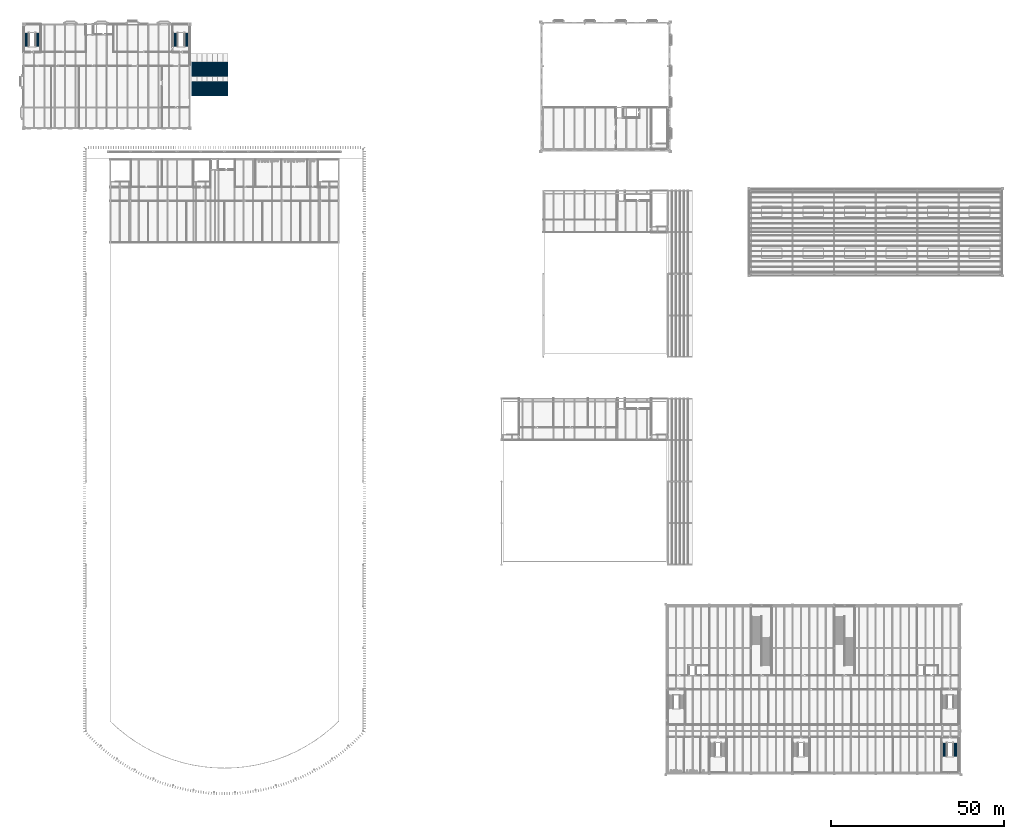
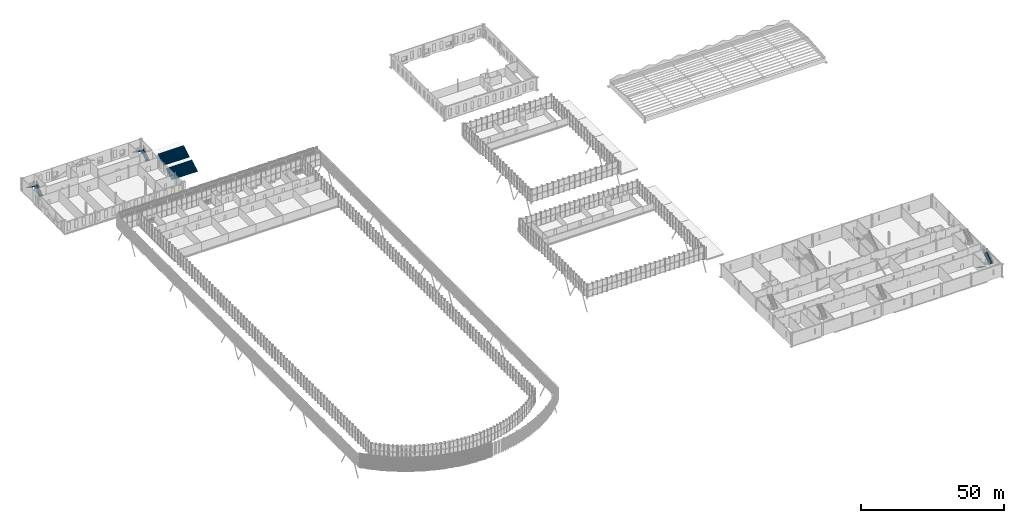
# One storey, part 124 of 170: 20 stair flights, 10 elements without a shape of their own.
"""IFC4 building model written with IfcOpenShell, lengths in metres."""

from ifc_helpers import new_model, si_unit, direction, frame, origin, place, context, subcontext, project, spatial, polyline, outline, extrude, material, type_object, element, aggregate, save


model = new_model("IFC4")

# Units and contexts
model_context = context("Model", 3, precision=1e-05, world=origin(), true_north=direction((0.0, 1.0)))
body_context = subcontext(model_context, "Body", "Model", "MODEL_VIEW")
ifc_project = project(units=[si_unit("LENGTHUNIT", "METRE"), si_unit("AREAUNIT", "SQUARE_METRE"), si_unit("VOLUMEUNIT", "CUBIC_METRE"), si_unit("PLANEANGLEUNIT", "RADIAN"), si_unit("MASSUNIT", "GRAM", prefix="KILO")], contexts=[model_context])

# Site, building, storey
site_placement = place(None, origin())
site = spatial("IfcSite", under=ifc_project, at=site_placement, CompositionType="ELEMENT")
building_placement = place(site_placement, origin())
building = spatial("IfcBuilding", under=site, at=building_placement, Name="Ravi Spectrum Wholesale Market", CompositionType="ELEMENT")
storey_placement = place(building_placement, frame((0.0, 0.0, 5.39990234375)))
storey = spatial("IfcBuildingStorey", under=building, at=storey_placement, Name="L01", CompositionType="ELEMENT", Elevation=5.39990234375)

# Stair, stair flights
ifc_material_1 = material(Name="Concrete C35/45", Category="concrete")
stair_type = type_object("IfcStairType", Name="Stair", PredefinedType="NOTDEFINED", material=ifc_material_1)
stair_1_placement = place(storey_placement, origin())
stair_1 = element("IfcStair", 1, at=stair_1_placement, inside=storey, type_object=stair_type, Name="GW-ST-L01-001", PredefinedType="NOTDEFINED")
ifc_material_2 = material(Name="Concrete C35/45", Category="concrete")
stair_flight_type = type_object("IfcStairFlightType", Name="Stair flight", PredefinedType="STRAIGHT", material=ifc_material_2)
stair_flight_1_placement = place(storey_placement, frame((61.25244140625, 213.300048828125, 0.0), z_axis=(0.0, 0.0, 1.0), x_axis=(0.0, 1.0, 0.0)))
stair_flight_1 = element("IfcStairFlight", 2, at=stair_flight_1_placement, type_object=stair_flight_type, Name="ST-GW1 flight 1", NumberOfRisers=16, NumberOfTreads=15, PredefinedType="STRAIGHT", RiserHeight=0.16875, TreadLength=0.28, context=body_context, shape_type="SweptSolid", body=[
    extrude(outline(polyline([(0.0, 0.0), (0.0, 0.168701171875), (0.280029296875, 0.168701171875), (0.280029296875, 0.33740234375), (0.56005859375, 0.33740234375), (0.56005859375, 0.50634765625), (0.840087890625, 0.50634765625), (0.840087890625, 0.675048828125), (1.1201171875, 0.675048828125), (1.1201171875, 0.84375), (1.39990234375, 0.84375), (1.39990234375, 1.012451171875), (1.679931640625, 1.012451171875), (1.679931640625, 1.18115234375), (1.9599609375, 1.18115234375), (1.9599609375, 1.35009765625), (2.239990234375, 1.35009765625), (2.239990234375, 1.518798828125), (2.52001953125, 1.518798828125), (2.52001953125, 1.6875), (2.800048828125, 1.6875), (2.800048828125, 1.856201171875), (3.080078125, 1.856201171875), (3.080078125, 2.02490234375), (3.360107421875, 2.02490234375), (3.360107421875, 2.19384765625), (3.639892578125, 2.19384765625), (3.639892578125, 2.362548828125), (3.919921875, 2.362548828125), (3.919921875, 2.53125), (4.199951171875, 2.53125), (4.199951171875, 2.699951171875), (4.199951171875, 2.356201171875), (0.29052734375, 0.0), (0.0, 0.0)])), frame((0.0, 0.75244140625, 0.0), z_axis=(0.0, -1.0, 0.0), x_axis=(1.0, 0.0, 0.0)), (0.0, 0.0, 1.0), 1.5048828125),
])
stair_flight_2_placement = place(storey_placement, frame((61.25244140625, 219.0, 2.7001953125), z_axis=(0.0, 0.0, 1.0), x_axis=(0.0, 1.0, 0.0)))
stair_flight_2 = element("IfcStairFlight", 3, at=stair_flight_2_placement, type_object=stair_flight_type, Name="ST-GW1 flight 2", NumberOfRisers=16, NumberOfTreads=15, PredefinedType="STRAIGHT", RiserHeight=0.16875, TreadLength=0.28, context=body_context, shape_type="SweptSolid", body=[
    extrude(outline(polyline([(0.0, 0.0), (0.0, 0.168701171875), (0.280029296875, 0.168701171875), (0.280029296875, 0.33740234375), (0.56005859375, 0.33740234375), (0.56005859375, 0.50634765625), (0.840087890625, 0.50634765625), (0.840087890625, 0.675048828125), (1.1201171875, 0.675048828125), (1.1201171875, 0.84375), (1.39990234375, 0.84375), (1.39990234375, 1.012451171875), (1.679931640625, 1.012451171875), (1.679931640625, 1.18115234375), (1.9599609375, 1.18115234375), (1.9599609375, 1.35009765625), (2.239990234375, 1.35009765625), (2.239990234375, 1.518798828125), (2.52001953125, 1.518798828125), (2.52001953125, 1.6875), (2.800048828125, 1.6875), (2.800048828125, 1.856201171875), (3.080078125, 1.856201171875), (3.080078125, 2.02490234375), (3.360107421875, 2.02490234375), (3.360107421875, 2.19384765625), (3.639892578125, 2.19384765625), (3.639892578125, 2.362548828125), (3.919921875, 2.362548828125), (3.919921875, 2.53125), (4.199951171875, 2.53125), (4.199951171875, 2.699951171875), (4.199951171875, 2.356201171875), (0.29052734375, 0.0), (0.0, 0.0)])), frame((0.0, 0.75244140625, 0.0), z_axis=(0.0, -1.0, 0.0), x_axis=(1.0, 0.0, 0.0)), (0.0, 0.0, 1.0), 1.5048828125),
])
aggregate(stair_1, [stair_flight_1, stair_flight_2])

stair_2_placement = place(storey_placement, origin())
stair_2 = element("IfcStair", 4, at=stair_2_placement, inside=storey, type_object=stair_type, Name="GW-ST-L01-002", PredefinedType="NOTDEFINED")
stair_flight_3_placement = place(storey_placement, frame((62.757568359375, 213.300048828125, 0.0), z_axis=(0.0, 0.0, 1.0), x_axis=(0.0, 1.0, 0.0)))
stair_flight_3 = element("IfcStairFlight", 5, at=stair_flight_3_placement, type_object=stair_flight_type, Name="ST-GW2 flight 1", NumberOfRisers=16, NumberOfTreads=15, PredefinedType="STRAIGHT", RiserHeight=0.16875, TreadLength=0.28, context=body_context, shape_type="SweptSolid", body=[
    extrude(outline(polyline([(0.0, 0.0), (0.0, 0.168701171875), (0.280029296875, 0.168701171875), (0.280029296875, 0.33740234375), (0.56005859375, 0.33740234375), (0.56005859375, 0.50634765625), (0.840087890625, 0.50634765625), (0.840087890625, 0.675048828125), (1.1201171875, 0.675048828125), (1.1201171875, 0.84375), (1.39990234375, 0.84375), (1.39990234375, 1.012451171875), (1.679931640625, 1.012451171875), (1.679931640625, 1.18115234375), (1.9599609375, 1.18115234375), (1.9599609375, 1.35009765625), (2.239990234375, 1.35009765625), (2.239990234375, 1.518798828125), (2.52001953125, 1.518798828125), (2.52001953125, 1.6875), (2.800048828125, 1.6875), (2.800048828125, 1.856201171875), (3.080078125, 1.856201171875), (3.080078125, 2.02490234375), (3.360107421875, 2.02490234375), (3.360107421875, 2.19384765625), (3.639892578125, 2.19384765625), (3.639892578125, 2.362548828125), (3.919921875, 2.362548828125), (3.919921875, 2.53125), (4.199951171875, 2.53125), (4.199951171875, 2.699951171875), (4.199951171875, 2.356201171875), (0.29052734375, 0.0), (0.0, 0.0)])), frame((0.0, 0.75244140625, 0.0), z_axis=(0.0, -1.0, 0.0), x_axis=(1.0, 0.0, 0.0)), (0.0, 0.0, 1.0), 1.5048828125),
])
stair_flight_4_placement = place(storey_placement, frame((62.757568359375, 219.0, 2.7001953125), z_axis=(0.0, 0.0, 1.0), x_axis=(0.0, 1.0, 0.0)))
stair_flight_4 = element("IfcStairFlight", 6, at=stair_flight_4_placement, type_object=stair_flight_type, Name="ST-GW2 flight 2", NumberOfRisers=16, NumberOfTreads=15, PredefinedType="STRAIGHT", RiserHeight=0.16875, TreadLength=0.28, context=body_context, shape_type="SweptSolid", body=[
    extrude(outline(polyline([(0.0, 0.0), (0.0, 0.168701171875), (0.280029296875, 0.168701171875), (0.280029296875, 0.33740234375), (0.56005859375, 0.33740234375), (0.56005859375, 0.50634765625), (0.840087890625, 0.50634765625), (0.840087890625, 0.675048828125), (1.1201171875, 0.675048828125), (1.1201171875, 0.84375), (1.39990234375, 0.84375), (1.39990234375, 1.012451171875), (1.679931640625, 1.012451171875), (1.679931640625, 1.18115234375), (1.9599609375, 1.18115234375), (1.9599609375, 1.35009765625), (2.239990234375, 1.35009765625), (2.239990234375, 1.518798828125), (2.52001953125, 1.518798828125), (2.52001953125, 1.6875), (2.800048828125, 1.6875), (2.800048828125, 1.856201171875), (3.080078125, 1.856201171875), (3.080078125, 2.02490234375), (3.360107421875, 2.02490234375), (3.360107421875, 2.19384765625), (3.639892578125, 2.19384765625), (3.639892578125, 2.362548828125), (3.919921875, 2.362548828125), (3.919921875, 2.53125), (4.199951171875, 2.53125), (4.199951171875, 2.699951171875), (4.199951171875, 2.356201171875), (0.29052734375, 0.0), (0.0, 0.0)])), frame((0.0, 0.75244140625, 0.0), z_axis=(0.0, -1.0, 0.0), x_axis=(1.0, 0.0, 0.0)), (0.0, 0.0, 1.0), 1.5048828125),
])
aggregate(stair_2, [stair_flight_3, stair_flight_4])

stair_3_placement = place(storey_placement, origin())
stair_3 = element("IfcStair", 7, at=stair_3_placement, inside=storey, type_object=stair_type, Name="GW-ST-L01-003", PredefinedType="NOTDEFINED")
stair_flight_5_placement = place(storey_placement, frame((64.262451171875, 213.300048828125, 0.0), z_axis=(0.0, 0.0, 1.0), x_axis=(0.0, 1.0, 0.0)))
stair_flight_5 = element("IfcStairFlight", 8, at=stair_flight_5_placement, type_object=stair_flight_type, Name="ST-GW3 flight 1", NumberOfRisers=16, NumberOfTreads=15, PredefinedType="STRAIGHT", RiserHeight=0.16875, TreadLength=0.28, context=body_context, shape_type="SweptSolid", body=[
    extrude(outline(polyline([(0.0, 0.0), (0.0, 0.168701171875), (0.280029296875, 0.168701171875), (0.280029296875, 0.33740234375), (0.56005859375, 0.33740234375), (0.56005859375, 0.50634765625), (0.840087890625, 0.50634765625), (0.840087890625, 0.675048828125), (1.1201171875, 0.675048828125), (1.1201171875, 0.84375), (1.39990234375, 0.84375), (1.39990234375, 1.012451171875), (1.679931640625, 1.012451171875), (1.679931640625, 1.18115234375), (1.9599609375, 1.18115234375), (1.9599609375, 1.35009765625), (2.239990234375, 1.35009765625), (2.239990234375, 1.518798828125), (2.52001953125, 1.518798828125), (2.52001953125, 1.6875), (2.800048828125, 1.6875), (2.800048828125, 1.856201171875), (3.080078125, 1.856201171875), (3.080078125, 2.02490234375), (3.360107421875, 2.02490234375), (3.360107421875, 2.19384765625), (3.639892578125, 2.19384765625), (3.639892578125, 2.362548828125), (3.919921875, 2.362548828125), (3.919921875, 2.53125), (4.199951171875, 2.53125), (4.199951171875, 2.699951171875), (4.199951171875, 2.356201171875), (0.29052734375, 0.0), (0.0, 0.0)])), frame((0.0, 0.75244140625, 0.0), z_axis=(0.0, -1.0, 0.0), x_axis=(1.0, 0.0, 0.0)), (0.0, 0.0, 1.0), 1.5048828125),
])
stair_flight_6_placement = place(storey_placement, frame((64.262451171875, 219.0, 2.7001953125), z_axis=(0.0, 0.0, 1.0), x_axis=(0.0, 1.0, 0.0)))
stair_flight_6 = element("IfcStairFlight", 9, at=stair_flight_6_placement, type_object=stair_flight_type, Name="ST-GW3 flight 2", NumberOfRisers=16, NumberOfTreads=15, PredefinedType="STRAIGHT", RiserHeight=0.16875, TreadLength=0.28, context=body_context, shape_type="SweptSolid", body=[
    extrude(outline(polyline([(0.0, 0.0), (0.0, 0.168701171875), (0.280029296875, 0.168701171875), (0.280029296875, 0.33740234375), (0.56005859375, 0.33740234375), (0.56005859375, 0.50634765625), (0.840087890625, 0.50634765625), (0.840087890625, 0.675048828125), (1.1201171875, 0.675048828125), (1.1201171875, 0.84375), (1.39990234375, 0.84375), (1.39990234375, 1.012451171875), (1.679931640625, 1.012451171875), (1.679931640625, 1.18115234375), (1.9599609375, 1.18115234375), (1.9599609375, 1.35009765625), (2.239990234375, 1.35009765625), (2.239990234375, 1.518798828125), (2.52001953125, 1.518798828125), (2.52001953125, 1.6875), (2.800048828125, 1.6875), (2.800048828125, 1.856201171875), (3.080078125, 1.856201171875), (3.080078125, 2.02490234375), (3.360107421875, 2.02490234375), (3.360107421875, 2.19384765625), (3.639892578125, 2.19384765625), (3.639892578125, 2.362548828125), (3.919921875, 2.362548828125), (3.919921875, 2.53125), (4.199951171875, 2.53125), (4.199951171875, 2.699951171875), (4.199951171875, 2.356201171875), (0.29052734375, 0.0), (0.0, 0.0)])), frame((0.0, 0.75244140625, 0.0), z_axis=(0.0, -1.0, 0.0), x_axis=(1.0, 0.0, 0.0)), (0.0, 0.0, 1.0), 1.5048828125),
])
aggregate(stair_3, [stair_flight_5, stair_flight_6])

stair_4_placement = place(storey_placement, origin())
stair_4 = element("IfcStair", 10, at=stair_4_placement, inside=storey, type_object=stair_type, Name="GW-ST-L01-004", PredefinedType="NOTDEFINED")
stair_flight_7_placement = place(storey_placement, frame((65.767578125, 213.300048828125, 0.0), z_axis=(0.0, 0.0, 1.0), x_axis=(0.0, 1.0, 0.0)))
stair_flight_7 = element("IfcStairFlight", 11, at=stair_flight_7_placement, type_object=stair_flight_type, Name="ST-GW4 flight 1", NumberOfRisers=16, NumberOfTreads=15, PredefinedType="STRAIGHT", RiserHeight=0.16875, TreadLength=0.28, context=body_context, shape_type="SweptSolid", body=[
    extrude(outline(polyline([(0.0, 0.0), (0.0, 0.168701171875), (0.280029296875, 0.168701171875), (0.280029296875, 0.33740234375), (0.56005859375, 0.33740234375), (0.56005859375, 0.50634765625), (0.840087890625, 0.50634765625), (0.840087890625, 0.675048828125), (1.1201171875, 0.675048828125), (1.1201171875, 0.84375), (1.39990234375, 0.84375), (1.39990234375, 1.012451171875), (1.679931640625, 1.012451171875), (1.679931640625, 1.18115234375), (1.9599609375, 1.18115234375), (1.9599609375, 1.35009765625), (2.239990234375, 1.35009765625), (2.239990234375, 1.518798828125), (2.52001953125, 1.518798828125), (2.52001953125, 1.6875), (2.800048828125, 1.6875), (2.800048828125, 1.856201171875), (3.080078125, 1.856201171875), (3.080078125, 2.02490234375), (3.360107421875, 2.02490234375), (3.360107421875, 2.19384765625), (3.639892578125, 2.19384765625), (3.639892578125, 2.362548828125), (3.919921875, 2.362548828125), (3.919921875, 2.53125), (4.199951171875, 2.53125), (4.199951171875, 2.699951171875), (4.199951171875, 2.356201171875), (0.29052734375, 0.0), (0.0, 0.0)])), frame((0.0, 0.75244140625, 0.0), z_axis=(0.0, -1.0, 0.0), x_axis=(1.0, 0.0, 0.0)), (0.0, 0.0, 1.0), 1.5048828125),
])
stair_flight_8_placement = place(storey_placement, frame((65.767578125, 219.0, 2.7001953125), z_axis=(0.0, 0.0, 1.0), x_axis=(0.0, 1.0, 0.0)))
stair_flight_8 = element("IfcStairFlight", 12, at=stair_flight_8_placement, type_object=stair_flight_type, Name="ST-GW4 flight 2", NumberOfRisers=16, NumberOfTreads=15, PredefinedType="STRAIGHT", RiserHeight=0.16875, TreadLength=0.28, context=body_context, shape_type="SweptSolid", body=[
    extrude(outline(polyline([(0.0, 0.0), (0.0, 0.168701171875), (0.280029296875, 0.168701171875), (0.280029296875, 0.33740234375), (0.56005859375, 0.33740234375), (0.56005859375, 0.50634765625), (0.840087890625, 0.50634765625), (0.840087890625, 0.675048828125), (1.1201171875, 0.675048828125), (1.1201171875, 0.84375), (1.39990234375, 0.84375), (1.39990234375, 1.012451171875), (1.679931640625, 1.012451171875), (1.679931640625, 1.18115234375), (1.9599609375, 1.18115234375), (1.9599609375, 1.35009765625), (2.239990234375, 1.35009765625), (2.239990234375, 1.518798828125), (2.52001953125, 1.518798828125), (2.52001953125, 1.6875), (2.800048828125, 1.6875), (2.800048828125, 1.856201171875), (3.080078125, 1.856201171875), (3.080078125, 2.02490234375), (3.360107421875, 2.02490234375), (3.360107421875, 2.19384765625), (3.639892578125, 2.19384765625), (3.639892578125, 2.362548828125), (3.919921875, 2.362548828125), (3.919921875, 2.53125), (4.199951171875, 2.53125), (4.199951171875, 2.699951171875), (4.199951171875, 2.356201171875), (0.29052734375, 0.0), (0.0, 0.0)])), frame((0.0, 0.75244140625, 0.0), z_axis=(0.0, -1.0, 0.0), x_axis=(1.0, 0.0, 0.0)), (0.0, 0.0, 1.0), 1.5048828125),
])
aggregate(stair_4, [stair_flight_7, stair_flight_8])

stair_5_placement = place(storey_placement, origin())
stair_5 = element("IfcStair", 13, at=stair_5_placement, inside=storey, type_object=stair_type, Name="GW-ST-L01-005", PredefinedType="NOTDEFINED")
stair_flight_9_placement = place(storey_placement, frame((67.2724609375, 213.300048828125, 0.0), z_axis=(0.0, 0.0, 1.0), x_axis=(0.0, 1.0, 0.0)))
stair_flight_9 = element("IfcStairFlight", 14, at=stair_flight_9_placement, type_object=stair_flight_type, Name="ST-GW5 flight 1", NumberOfRisers=16, NumberOfTreads=15, PredefinedType="STRAIGHT", RiserHeight=0.16875, TreadLength=0.28, context=body_context, shape_type="SweptSolid", body=[
    extrude(outline(polyline([(0.0, 0.0), (0.0, 0.168701171875), (0.280029296875, 0.168701171875), (0.280029296875, 0.33740234375), (0.56005859375, 0.33740234375), (0.56005859375, 0.50634765625), (0.840087890625, 0.50634765625), (0.840087890625, 0.675048828125), (1.1201171875, 0.675048828125), (1.1201171875, 0.84375), (1.39990234375, 0.84375), (1.39990234375, 1.012451171875), (1.679931640625, 1.012451171875), (1.679931640625, 1.18115234375), (1.9599609375, 1.18115234375), (1.9599609375, 1.35009765625), (2.239990234375, 1.35009765625), (2.239990234375, 1.518798828125), (2.52001953125, 1.518798828125), (2.52001953125, 1.6875), (2.800048828125, 1.6875), (2.800048828125, 1.856201171875), (3.080078125, 1.856201171875), (3.080078125, 2.02490234375), (3.360107421875, 2.02490234375), (3.360107421875, 2.19384765625), (3.639892578125, 2.19384765625), (3.639892578125, 2.362548828125), (3.919921875, 2.362548828125), (3.919921875, 2.53125), (4.199951171875, 2.53125), (4.199951171875, 2.699951171875), (4.199951171875, 2.356201171875), (0.29052734375, 0.0), (0.0, 0.0)])), frame((0.0, 0.75244140625, 0.0), z_axis=(0.0, -1.0, 0.0), x_axis=(1.0, 0.0, 0.0)), (0.0, 0.0, 1.0), 1.5048828125),
])
stair_flight_10_placement = place(storey_placement, frame((67.2724609375, 219.0, 2.7001953125), z_axis=(0.0, 0.0, 1.0), x_axis=(0.0, 1.0, 0.0)))
stair_flight_10 = element("IfcStairFlight", 15, at=stair_flight_10_placement, type_object=stair_flight_type, Name="ST-GW5 flight 2", NumberOfRisers=16, NumberOfTreads=15, PredefinedType="STRAIGHT", RiserHeight=0.16875, TreadLength=0.28, context=body_context, shape_type="SweptSolid", body=[
    extrude(outline(polyline([(0.0, 0.0), (0.0, 0.168701171875), (0.280029296875, 0.168701171875), (0.280029296875, 0.33740234375), (0.56005859375, 0.33740234375), (0.56005859375, 0.50634765625), (0.840087890625, 0.50634765625), (0.840087890625, 0.675048828125), (1.1201171875, 0.675048828125), (1.1201171875, 0.84375), (1.39990234375, 0.84375), (1.39990234375, 1.012451171875), (1.679931640625, 1.012451171875), (1.679931640625, 1.18115234375), (1.9599609375, 1.18115234375), (1.9599609375, 1.35009765625), (2.239990234375, 1.35009765625), (2.239990234375, 1.518798828125), (2.52001953125, 1.518798828125), (2.52001953125, 1.6875), (2.800048828125, 1.6875), (2.800048828125, 1.856201171875), (3.080078125, 1.856201171875), (3.080078125, 2.02490234375), (3.360107421875, 2.02490234375), (3.360107421875, 2.19384765625), (3.639892578125, 2.19384765625), (3.639892578125, 2.362548828125), (3.919921875, 2.362548828125), (3.919921875, 2.53125), (4.199951171875, 2.53125), (4.199951171875, 2.699951171875), (4.199951171875, 2.356201171875), (0.29052734375, 0.0), (0.0, 0.0)])), frame((0.0, 0.75244140625, 0.0), z_axis=(0.0, -1.0, 0.0), x_axis=(1.0, 0.0, 0.0)), (0.0, 0.0, 1.0), 1.5048828125),
])
aggregate(stair_5, [stair_flight_9, stair_flight_10])

stair_6_placement = place(storey_placement, origin())
stair_6 = element("IfcStair", 16, at=stair_6_placement, inside=storey, type_object=stair_type, Name="GW-ST-L01-006", PredefinedType="NOTDEFINED")
stair_flight_11_placement = place(storey_placement, frame((68.777587890625, 213.300048828125, 0.0), z_axis=(0.0, 0.0, 1.0), x_axis=(0.0, 1.0, 0.0)))
stair_flight_11 = element("IfcStairFlight", 17, at=stair_flight_11_placement, type_object=stair_flight_type, Name="ST-GW6 flight 1", NumberOfRisers=16, NumberOfTreads=15, PredefinedType="STRAIGHT", RiserHeight=0.16875, TreadLength=0.28, context=body_context, shape_type="SweptSolid", body=[
    extrude(outline(polyline([(0.0, 0.0), (0.0, 0.168701171875), (0.280029296875, 0.168701171875), (0.280029296875, 0.33740234375), (0.56005859375, 0.33740234375), (0.56005859375, 0.50634765625), (0.840087890625, 0.50634765625), (0.840087890625, 0.675048828125), (1.1201171875, 0.675048828125), (1.1201171875, 0.84375), (1.39990234375, 0.84375), (1.39990234375, 1.012451171875), (1.679931640625, 1.012451171875), (1.679931640625, 1.18115234375), (1.9599609375, 1.18115234375), (1.9599609375, 1.35009765625), (2.239990234375, 1.35009765625), (2.239990234375, 1.518798828125), (2.52001953125, 1.518798828125), (2.52001953125, 1.6875), (2.800048828125, 1.6875), (2.800048828125, 1.856201171875), (3.080078125, 1.856201171875), (3.080078125, 2.02490234375), (3.360107421875, 2.02490234375), (3.360107421875, 2.19384765625), (3.639892578125, 2.19384765625), (3.639892578125, 2.362548828125), (3.919921875, 2.362548828125), (3.919921875, 2.53125), (4.199951171875, 2.53125), (4.199951171875, 2.699951171875), (4.199951171875, 2.356201171875), (0.29052734375, 0.0), (0.0, 0.0)])), frame((0.0, 0.75244140625, 0.0), z_axis=(0.0, -1.0, 0.0), x_axis=(1.0, 0.0, 0.0)), (0.0, 0.0, 1.0), 1.5048828125),
])
stair_flight_12_placement = place(storey_placement, frame((68.777587890625, 219.0, 2.7001953125), z_axis=(0.0, 0.0, 1.0), x_axis=(0.0, 1.0, 0.0)))
stair_flight_12 = element("IfcStairFlight", 18, at=stair_flight_12_placement, type_object=stair_flight_type, Name="ST-GW6 flight 2", NumberOfRisers=16, NumberOfTreads=15, PredefinedType="STRAIGHT", RiserHeight=0.16875, TreadLength=0.28, context=body_context, shape_type="SweptSolid", body=[
    extrude(outline(polyline([(0.0, 0.0), (0.0, 0.168701171875), (0.280029296875, 0.168701171875), (0.280029296875, 0.33740234375), (0.56005859375, 0.33740234375), (0.56005859375, 0.50634765625), (0.840087890625, 0.50634765625), (0.840087890625, 0.675048828125), (1.1201171875, 0.675048828125), (1.1201171875, 0.84375), (1.39990234375, 0.84375), (1.39990234375, 1.012451171875), (1.679931640625, 1.012451171875), (1.679931640625, 1.18115234375), (1.9599609375, 1.18115234375), (1.9599609375, 1.35009765625), (2.239990234375, 1.35009765625), (2.239990234375, 1.518798828125), (2.52001953125, 1.518798828125), (2.52001953125, 1.6875), (2.800048828125, 1.6875), (2.800048828125, 1.856201171875), (3.080078125, 1.856201171875), (3.080078125, 2.02490234375), (3.360107421875, 2.02490234375), (3.360107421875, 2.19384765625), (3.639892578125, 2.19384765625), (3.639892578125, 2.362548828125), (3.919921875, 2.362548828125), (3.919921875, 2.53125), (4.199951171875, 2.53125), (4.199951171875, 2.699951171875), (4.199951171875, 2.356201171875), (0.29052734375, 0.0), (0.0, 0.0)])), frame((0.0, 0.75244140625, 0.0), z_axis=(0.0, -1.0, 0.0), x_axis=(1.0, 0.0, 0.0)), (0.0, 0.0, 1.0), 1.5048828125),
])
aggregate(stair_6, [stair_flight_11, stair_flight_12])

stair_7_placement = place(storey_placement, origin())
stair_7 = element("IfcStair", 19, at=stair_7_placement, inside=storey, type_object=stair_type, Name="GW-ST-L01-007", PredefinedType="NOTDEFINED")
stair_flight_13_placement = place(storey_placement, frame((70.282470703125, 213.300048828125, 0.0), z_axis=(0.0, 0.0, 1.0), x_axis=(0.0, 1.0, 0.0)))
stair_flight_13 = element("IfcStairFlight", 20, at=stair_flight_13_placement, type_object=stair_flight_type, Name="ST-GW7 flight 1", NumberOfRisers=16, NumberOfTreads=15, PredefinedType="STRAIGHT", RiserHeight=0.16875, TreadLength=0.28, context=body_context, shape_type="SweptSolid", body=[
    extrude(outline(polyline([(0.0, 0.0), (0.0, 0.168701171875), (0.280029296875, 0.168701171875), (0.280029296875, 0.33740234375), (0.56005859375, 0.33740234375), (0.56005859375, 0.50634765625), (0.840087890625, 0.50634765625), (0.840087890625, 0.675048828125), (1.1201171875, 0.675048828125), (1.1201171875, 0.84375), (1.39990234375, 0.84375), (1.39990234375, 1.012451171875), (1.679931640625, 1.012451171875), (1.679931640625, 1.18115234375), (1.9599609375, 1.18115234375), (1.9599609375, 1.35009765625), (2.239990234375, 1.35009765625), (2.239990234375, 1.518798828125), (2.52001953125, 1.518798828125), (2.52001953125, 1.6875), (2.800048828125, 1.6875), (2.800048828125, 1.856201171875), (3.080078125, 1.856201171875), (3.080078125, 2.02490234375), (3.360107421875, 2.02490234375), (3.360107421875, 2.19384765625), (3.639892578125, 2.19384765625), (3.639892578125, 2.362548828125), (3.919921875, 2.362548828125), (3.919921875, 2.53125), (4.199951171875, 2.53125), (4.199951171875, 2.699951171875), (4.199951171875, 2.356201171875), (0.29052734375, 0.0), (0.0, 0.0)])), frame((0.0, 0.75244140625, 0.0), z_axis=(0.0, -1.0, 0.0), x_axis=(1.0, 0.0, 0.0)), (0.0, 0.0, 1.0), 1.5048828125),
])
stair_flight_14_placement = place(storey_placement, frame((70.282470703125, 219.0, 2.7001953125), z_axis=(0.0, 0.0, 1.0), x_axis=(0.0, 1.0, 0.0)))
stair_flight_14 = element("IfcStairFlight", 21, at=stair_flight_14_placement, type_object=stair_flight_type, Name="ST-GW7 flight 2", NumberOfRisers=16, NumberOfTreads=15, PredefinedType="STRAIGHT", RiserHeight=0.16875, TreadLength=0.28, context=body_context, shape_type="SweptSolid", body=[
    extrude(outline(polyline([(0.0, 0.0), (0.0, 0.168701171875), (0.280029296875, 0.168701171875), (0.280029296875, 0.33740234375), (0.56005859375, 0.33740234375), (0.56005859375, 0.50634765625), (0.840087890625, 0.50634765625), (0.840087890625, 0.675048828125), (1.1201171875, 0.675048828125), (1.1201171875, 0.84375), (1.39990234375, 0.84375), (1.39990234375, 1.012451171875), (1.679931640625, 1.012451171875), (1.679931640625, 1.18115234375), (1.9599609375, 1.18115234375), (1.9599609375, 1.35009765625), (2.239990234375, 1.35009765625), (2.239990234375, 1.518798828125), (2.52001953125, 1.518798828125), (2.52001953125, 1.6875), (2.800048828125, 1.6875), (2.800048828125, 1.856201171875), (3.080078125, 1.856201171875), (3.080078125, 2.02490234375), (3.360107421875, 2.02490234375), (3.360107421875, 2.19384765625), (3.639892578125, 2.19384765625), (3.639892578125, 2.362548828125), (3.919921875, 2.362548828125), (3.919921875, 2.53125), (4.199951171875, 2.53125), (4.199951171875, 2.699951171875), (4.199951171875, 2.356201171875), (0.29052734375, 0.0), (0.0, 0.0)])), frame((0.0, 0.75244140625, 0.0), z_axis=(0.0, -1.0, 0.0), x_axis=(1.0, 0.0, 0.0)), (0.0, 0.0, 1.0), 1.5048828125),
])
aggregate(stair_7, [stair_flight_13, stair_flight_14])

stair_8_placement = place(storey_placement, origin())
stair_8 = element("IfcStair", 22, at=stair_8_placement, inside=storey, type_object=stair_type, Name="L01 S-CS-7", PredefinedType="HALF_TURN_STAIR")
stair_flight_15_placement = place(storey_placement, frame((277.89990234375, 26.550048828125, 0.0), z_axis=(0.0, 0.0, 1.0), x_axis=(0.0, -1.0, 0.0)))
stair_flight_15 = element("IfcStairFlight", 23, at=stair_flight_15_placement, type_object=stair_flight_type, Name="S-CS-7 flight 1", NumberOfRisers=15, NumberOfTreads=14, PredefinedType="STRAIGHT", RiserHeight=0.18, TreadLength=0.28, context=body_context, shape_type="SweptSolid", body=[
    extrude(outline(polyline([(0.0, 0.0), (0.0, 0.179931640625), (0.280029296875, 0.179931640625), (0.280029296875, 0.360107421875), (0.56005859375, 0.360107421875), (0.56005859375, 0.5400390625), (0.840087890625, 0.5400390625), (0.840087890625, 0.719970703125), (1.1201171875, 0.719970703125), (1.1201171875, 0.89990234375), (1.39990234375, 0.89990234375), (1.39990234375, 1.080078125), (1.679931640625, 1.080078125), (1.679931640625, 1.260009765625), (1.9599609375, 1.260009765625), (1.9599609375, 1.43994140625), (2.239990234375, 1.43994140625), (2.239990234375, 1.6201171875), (2.52001953125, 1.6201171875), (2.52001953125, 1.800048828125), (2.800048828125, 1.800048828125), (2.800048828125, 1.97998046875), (3.080078125, 1.97998046875), (3.080078125, 2.159912109375), (3.360107421875, 2.159912109375), (3.360107421875, 2.340087890625), (3.639892578125, 2.340087890625), (3.639892578125, 2.52001953125), (3.919921875, 2.52001953125), (3.919921875, 2.699951171875), (3.919921875, 2.341796875), (0.277099609375, 0.0), (0.0, 0.0)])), frame((0.0, 0.75, 0.0), z_axis=(0.0, -1.0, 0.0), x_axis=(1.0, 0.0, 0.0)), (0.0, 0.0, 1.0), 1.5),
])
stair_flight_16_placement = place(storey_placement, frame((281.10009765625, 22.6298828125, 2.7001953125), z_axis=(0.0, 0.0, 1.0), x_axis=(0.0, 1.0, 0.0)))
stair_flight_16 = element("IfcStairFlight", 24, at=stair_flight_16_placement, type_object=stair_flight_type, Name="S-CS-7 flight 2", NumberOfRisers=15, NumberOfTreads=14, PredefinedType="STRAIGHT", RiserHeight=0.18, TreadLength=0.28, context=body_context, shape_type="SweptSolid", body=[
    extrude(outline(polyline([(0.0, 0.0), (0.0, 0.179931640625), (0.280029296875, 0.179931640625), (0.280029296875, 0.360107421875), (0.56005859375, 0.360107421875), (0.56005859375, 0.5400390625), (0.840087890625, 0.5400390625), (0.840087890625, 0.719970703125), (1.1201171875, 0.719970703125), (1.1201171875, 0.89990234375), (1.39990234375, 0.89990234375), (1.39990234375, 1.080078125), (1.679931640625, 1.080078125), (1.679931640625, 1.260009765625), (1.9599609375, 1.260009765625), (1.9599609375, 1.43994140625), (2.239990234375, 1.43994140625), (2.239990234375, 1.6201171875), (2.52001953125, 1.6201171875), (2.52001953125, 1.800048828125), (2.800048828125, 1.800048828125), (2.800048828125, 1.97998046875), (3.080078125, 1.97998046875), (3.080078125, 2.159912109375), (3.360107421875, 2.159912109375), (3.360107421875, 2.340087890625), (3.639892578125, 2.340087890625), (3.639892578125, 2.52001953125), (3.919921875, 2.52001953125), (3.919921875, 2.699951171875), (3.919921875, 2.341796875), (0.277099609375, 0.0), (0.0, 0.0)])), frame((0.0, 0.75, 0.0), z_axis=(0.0, -1.0, 0.0), x_axis=(1.0, 0.0, 0.0)), (0.0, 0.0, 1.0), 1.5),
])
aggregate(stair_8, [stair_flight_15, stair_flight_16])

stair_9_placement = place(storey_placement, origin())
stair_9 = element("IfcStair", 25, at=stair_9_placement, inside=storey, type_object=stair_type, Name="L01 S-OF-1", PredefinedType="HALF_TURN_STAIR")
stair_flight_17_placement = place(storey_placement, frame((16.14990234375, 227.60009765625, 0.0), z_axis=(0.0, 0.0, 1.0), x_axis=(0.0, 1.0, 0.0)))
stair_flight_17 = element("IfcStairFlight", 26, at=stair_flight_17_placement, type_object=stair_flight_type, Name="S-OF-1 flight 1", NumberOfRisers=15, NumberOfTreads=14, PredefinedType="STRAIGHT", RiserHeight=0.18, TreadLength=0.28, context=body_context, shape_type="SweptSolid", body=[
    extrude(outline(polyline([(0.0, 0.0), (0.0, 0.179931640625), (0.280029296875, 0.179931640625), (0.280029296875, 0.360107421875), (0.56005859375, 0.360107421875), (0.56005859375, 0.5400390625), (0.840087890625, 0.5400390625), (0.840087890625, 0.719970703125), (1.1201171875, 0.719970703125), (1.1201171875, 0.89990234375), (1.39990234375, 0.89990234375), (1.39990234375, 1.080078125), (1.679931640625, 1.080078125), (1.679931640625, 1.260009765625), (1.9599609375, 1.260009765625), (1.9599609375, 1.43994140625), (2.239990234375, 1.43994140625), (2.239990234375, 1.6201171875), (2.52001953125, 1.6201171875), (2.52001953125, 1.800048828125), (2.800048828125, 1.800048828125), (2.800048828125, 1.97998046875), (3.080078125, 1.97998046875), (3.080078125, 2.159912109375), (3.360107421875, 2.159912109375), (3.360107421875, 2.340087890625), (3.639892578125, 2.340087890625), (3.639892578125, 2.52001953125), (3.919921875, 2.52001953125), (3.919921875, 2.699951171875), (3.919921875, 2.341796875), (0.277099609375, 0.0), (0.0, 0.0)])), frame((0.0, 0.75, 0.0), z_axis=(0.0, -1.0, 0.0), x_axis=(1.0, 0.0, 0.0)), (0.0, 0.0, 1.0), 1.5),
])
stair_flight_18_placement = place(storey_placement, frame((12.85009765625, 231.52001953125, 2.7001953125), z_axis=(0.0, 0.0, 1.0), x_axis=(0.0, -1.0, 0.0)))
stair_flight_18 = element("IfcStairFlight", 27, at=stair_flight_18_placement, type_object=stair_flight_type, Name="S-OF-1 flight 2", NumberOfRisers=15, NumberOfTreads=14, PredefinedType="STRAIGHT", RiserHeight=0.18, TreadLength=0.28, context=body_context, shape_type="SweptSolid", body=[
    extrude(outline(polyline([(0.0, 0.0), (0.0, 0.179931640625), (0.280029296875, 0.179931640625), (0.280029296875, 0.360107421875), (0.56005859375, 0.360107421875), (0.56005859375, 0.5400390625), (0.840087890625, 0.5400390625), (0.840087890625, 0.719970703125), (1.1201171875, 0.719970703125), (1.1201171875, 0.89990234375), (1.39990234375, 0.89990234375), (1.39990234375, 1.080078125), (1.679931640625, 1.080078125), (1.679931640625, 1.260009765625), (1.9599609375, 1.260009765625), (1.9599609375, 1.43994140625), (2.239990234375, 1.43994140625), (2.239990234375, 1.6201171875), (2.52001953125, 1.6201171875), (2.52001953125, 1.800048828125), (2.800048828125, 1.800048828125), (2.800048828125, 1.97998046875), (3.080078125, 1.97998046875), (3.080078125, 2.159912109375), (3.360107421875, 2.159912109375), (3.360107421875, 2.340087890625), (3.639892578125, 2.340087890625), (3.639892578125, 2.52001953125), (3.919921875, 2.52001953125), (3.919921875, 2.699951171875), (3.919921875, 2.341796875), (0.277099609375, 0.0), (0.0, 0.0)])), frame((0.0, 0.75, 0.0), z_axis=(0.0, -1.0, 0.0), x_axis=(1.0, 0.0, 0.0)), (0.0, 0.0, 1.0), 1.5),
])
aggregate(stair_9, [stair_flight_17, stair_flight_18])

stair_10_placement = place(storey_placement, origin())
stair_10 = element("IfcStair", 28, at=stair_10_placement, inside=storey, type_object=stair_type, Name="L01 S-OF-2", PredefinedType="HALF_TURN_STAIR")
stair_flight_19_placement = place(storey_placement, frame((59.14990234375, 227.60009765625, 0.0), z_axis=(0.0, 0.0, 1.0), x_axis=(0.0, 1.0, 0.0)))
stair_flight_19 = element("IfcStairFlight", 29, at=stair_flight_19_placement, type_object=stair_flight_type, Name="S-OF-2 flight 1", NumberOfRisers=15, NumberOfTreads=14, PredefinedType="STRAIGHT", RiserHeight=0.18, TreadLength=0.28, context=body_context, shape_type="SweptSolid", body=[
    extrude(outline(polyline([(0.0, 0.0), (0.0, 0.179931640625), (0.280029296875, 0.179931640625), (0.280029296875, 0.360107421875), (0.56005859375, 0.360107421875), (0.56005859375, 0.5400390625), (0.840087890625, 0.5400390625), (0.840087890625, 0.719970703125), (1.1201171875, 0.719970703125), (1.1201171875, 0.89990234375), (1.39990234375, 0.89990234375), (1.39990234375, 1.080078125), (1.679931640625, 1.080078125), (1.679931640625, 1.260009765625), (1.9599609375, 1.260009765625), (1.9599609375, 1.43994140625), (2.239990234375, 1.43994140625), (2.239990234375, 1.6201171875), (2.52001953125, 1.6201171875), (2.52001953125, 1.800048828125), (2.800048828125, 1.800048828125), (2.800048828125, 1.97998046875), (3.080078125, 1.97998046875), (3.080078125, 2.159912109375), (3.360107421875, 2.159912109375), (3.360107421875, 2.340087890625), (3.639892578125, 2.340087890625), (3.639892578125, 2.52001953125), (3.919921875, 2.52001953125), (3.919921875, 2.699951171875), (3.919921875, 2.341796875), (0.277099609375, 0.0), (0.0, 0.0)])), frame((0.0, 0.75, 0.0), z_axis=(0.0, -1.0, 0.0), x_axis=(1.0, 0.0, 0.0)), (0.0, 0.0, 1.0), 1.5),
])
stair_flight_20_placement = place(storey_placement, frame((55.85009765625, 231.52001953125, 2.7001953125), z_axis=(0.0, 0.0, 1.0), x_axis=(0.0, -1.0, 0.0)))
stair_flight_20 = element("IfcStairFlight", 30, at=stair_flight_20_placement, type_object=stair_flight_type, Name="S-OF-2 flight 2", NumberOfRisers=15, NumberOfTreads=14, PredefinedType="STRAIGHT", RiserHeight=0.18, TreadLength=0.28, context=body_context, shape_type="SweptSolid", body=[
    extrude(outline(polyline([(0.0, 0.0), (0.0, 0.179931640625), (0.280029296875, 0.179931640625), (0.280029296875, 0.360107421875), (0.56005859375, 0.360107421875), (0.56005859375, 0.5400390625), (0.840087890625, 0.5400390625), (0.840087890625, 0.719970703125), (1.1201171875, 0.719970703125), (1.1201171875, 0.89990234375), (1.39990234375, 0.89990234375), (1.39990234375, 1.080078125), (1.679931640625, 1.080078125), (1.679931640625, 1.260009765625), (1.9599609375, 1.260009765625), (1.9599609375, 1.43994140625), (2.239990234375, 1.43994140625), (2.239990234375, 1.6201171875), (2.52001953125, 1.6201171875), (2.52001953125, 1.800048828125), (2.800048828125, 1.800048828125), (2.800048828125, 1.97998046875), (3.080078125, 1.97998046875), (3.080078125, 2.159912109375), (3.360107421875, 2.159912109375), (3.360107421875, 2.340087890625), (3.639892578125, 2.340087890625), (3.639892578125, 2.52001953125), (3.919921875, 2.52001953125), (3.919921875, 2.699951171875), (3.919921875, 2.341796875), (0.277099609375, 0.0), (0.0, 0.0)])), frame((0.0, 0.75, 0.0), z_axis=(0.0, -1.0, 0.0), x_axis=(1.0, 0.0, 0.0)), (0.0, 0.0, 1.0), 1.5),
])
aggregate(stair_10, [stair_flight_19, stair_flight_20])

save(model, "model.ifc")
